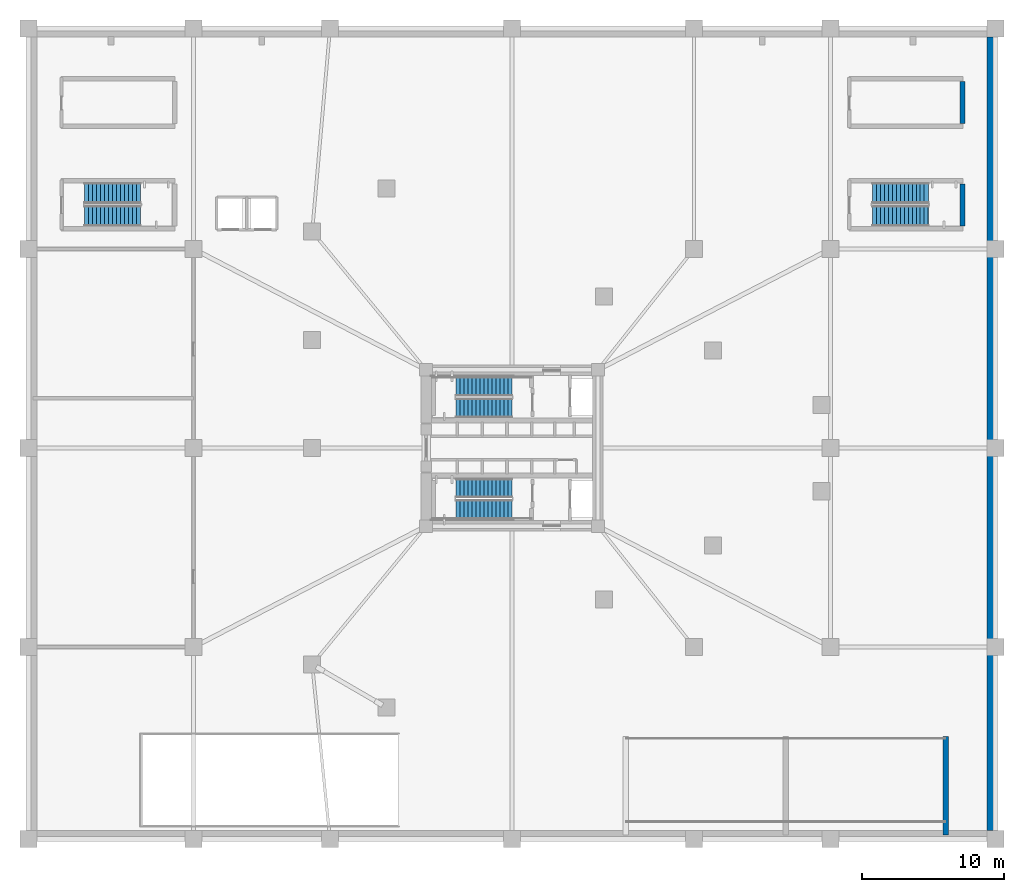
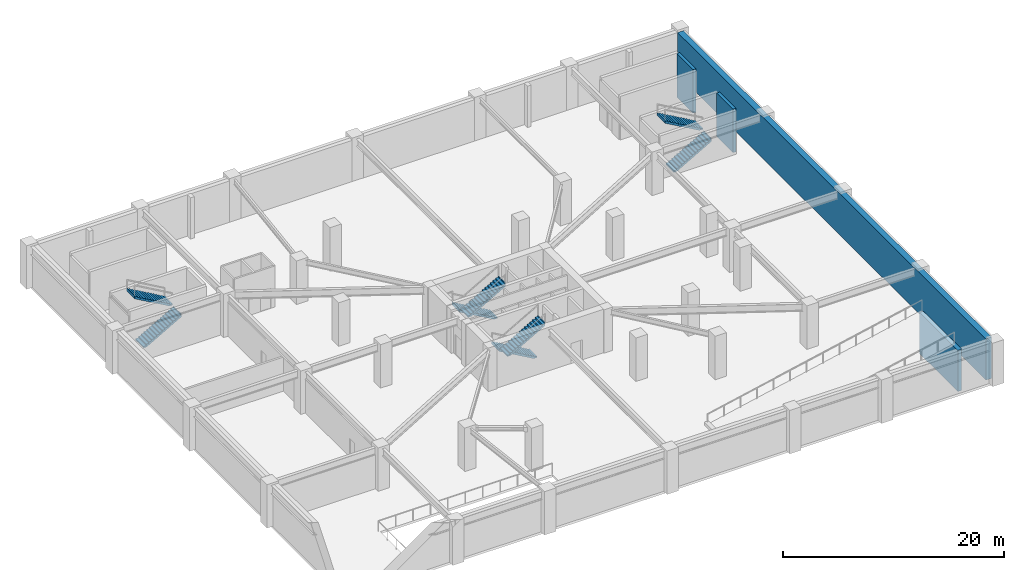
# One storey, part 6 of 13: 8 stair flights, 4 walls, 4 elements without a shape of their own.
"""IFC4 building model written with IfcOpenShell, lengths in metres."""

from ifc_helpers import new_model, si_unit, direction, frame, frame_2d, origin, place, context, subcontext, project, spatial, polyline, rectangle, outline, extrude, material, layer, layer_set, type_object, element, aggregate, save


model = new_model("IFC4")

# Units and contexts
model_context = context("Model", 3, precision=1e-05, world=origin(), true_north=direction((0.0, 1.0)))
body_context = subcontext(model_context, "Body", "Model", "MODEL_VIEW")
ifc_project = project(units=[si_unit("LENGTHUNIT", "METRE"), si_unit("AREAUNIT", "SQUARE_METRE"), si_unit("VOLUMEUNIT", "CUBIC_METRE"), si_unit("PLANEANGLEUNIT", "RADIAN"), si_unit("MASSUNIT", "GRAM", prefix="KILO")], contexts=[model_context])

# Site, building, storey
site_placement = place(None, origin())
site = spatial("IfcSite", under=ifc_project, at=site_placement, CompositionType="ELEMENT")
building_placement = place(site_placement, origin())
building = spatial("IfcBuilding", under=site, at=building_placement, Name="Yunling Apex Tower", CompositionType="ELEMENT")
storey_placement = place(building_placement, frame((0.0, 0.0, -4.800048828125)))
storey = spatial("IfcBuildingStorey", under=building, at=storey_placement, Name="B01", CompositionType="ELEMENT", Elevation=-4.800048828125)

# Walls
ifc_material_1 = material(Name="Concrete C50", Category="concrete")
ifc_layer_1 = layer(ifc_material_1, 0.60009765625)
ifc_layer_set_1 = layer_set([ifc_layer_1], Name="Concrete C50")
wall_type_1 = type_object("IfcWallType", Name="WL-BSM-2", PredefinedType="USERDEFINED", material=ifc_layer_set_1)
wall_1_placement = place(storey_placement, frame((33.699951171875, -26.89990234375, 0.0), z_axis=(0.0, 0.0, 1.0), x_axis=(0.0, 1.0, 0.0)))
element("IfcWall", 1, at=wall_1_placement, inside=storey, type_object=wall_type_1, Name="B01 East Retaining Wall", ObjectType="RETAININGWALL", PredefinedType="USERDEFINED", context=body_context, shape_type="SweptSolid", body=[
    extrude(rectangle(XDim=55.7998046875, YDim=0.60009765625, at=frame_2d((27.89990234375, 0.0))), origin(), (0.0, 0.0, 1.0), 4.56005859375),
])
ifc_layer_2 = layer(ifc_material_1, 0.39990234375)
ifc_layer_set_2 = layer_set([ifc_layer_2], Name="Concrete C50")
wall_type_2 = type_object("IfcWallType", Name="WL-COR-5", PredefinedType="SHEAR", material=ifc_layer_set_2)
wall_2_placement = place(storey_placement, frame((30.5, -27.199951171875, 0.0), z_axis=(0.0, 0.0, 1.0), x_axis=(0.0, 1.0, 0.0)))
element("IfcWall", 2, at=wall_2_placement, inside=storey, type_object=wall_type_2, Name="B01 Vehicle Ramp Bearing Wall HI", PredefinedType="SHEAR", context=body_context, shape_type="SweptSolid", body=[
    extrude(rectangle(XDim=6.89990234375, YDim=0.39990234375, at=frame_2d((3.449951171875, 0.0))), origin(), (0.0, 0.0, 1.0), 4.56005859375),
])
ifc_material_2 = material(Name="Concrete C40", Category="concrete")
ifc_layer_3 = layer(ifc_material_2, 0.320068359375)
ifc_layer_set_3 = layer_set([ifc_layer_3], Name="Concrete C40")
wall_type_3 = type_object("IfcWallType", Name="WL-COR-7", PredefinedType="SHEAR", material=ifc_layer_set_3)
for number, where, z_axis, x_axis, name in (
    (3, (31.679931640625, 15.6201171875, 0.0), (0.0, 0.0, 1.0), (0.0, 1.0, 0.0), "B01 STP2 Half-Landing Bearing Wall"),
    (4, (31.679931640625, 22.820068359375, 0.0), (0.0, 0.0, 1.0), (0.0, 1.0, 0.0), "B01 STG2 Half-Landing Bearing Wall"),
):
    element("IfcWall", number, at=place(storey_placement, frame(where, z_axis=z_axis, x_axis=x_axis)), inside=storey, type_object=wall_type_3, Name=name, PredefinedType="SHEAR", context=body_context, shape_type="SweptSolid", body=[
        extrude(rectangle(XDim=2.9599609375, YDim=0.320068359375, at=frame_2d((1.47998046875, 0.0))), origin(), (0.0, 0.0, 1.0), 4.800048828125),
    ])

# Stair, stair flights
stair_type_1 = type_object("IfcStairType", Name="ST-POD-1", PredefinedType="HALF_TURN_STAIR", material=ifc_material_2)
stair_1_placement = place(storey_placement, origin())
stair_1 = element("IfcStair", 5, at=stair_1_placement, inside=storey, type_object=stair_type_1, Name="B01 West Podium Smokeproof Stair ST-P1", PredefinedType="HALF_TURN_STAIR")
stair_flight_type_1 = type_object("IfcStairFlightType", Name="SFL-POD-1", PredefinedType="STRAIGHT", material=ifc_material_2)
stair_flight_1_placement = place(storey_placement, frame((-30.050048828125, 16.324951171875, 0.0), z_axis=(0.0, 0.0, 1.0), x_axis=(1.0, 0.0, 0.0)))
stair_flight_1 = element("IfcStairFlight", 6, at=stair_flight_1_placement, type_object=stair_flight_type_1, Name="ST-P1 flight 1", NumberOfRisers=15, NumberOfTreads=14, PredefinedType="STRAIGHT", RiserHeight=0.16, TreadLength=0.28, context=body_context, shape_type="SweptSolid", body=[
    extrude(outline(polyline([(-0.011962890625, 0.0), (-0.011962890625, 0.159912109375), (0.0, 0.159912109375), (0.280029296875, 0.159912109375), (0.280029296875, 0.320068359375), (0.56005859375, 0.320068359375), (0.56005859375, 0.47998046875), (0.840087890625, 0.47998046875), (0.840087890625, 0.639892578125), (1.1201171875, 0.639892578125), (1.1201171875, 0.800048828125), (1.39990234375, 0.800048828125), (1.39990234375, 0.9599609375), (1.679931640625, 0.9599609375), (1.679931640625, 1.1201171875), (1.9599609375, 1.1201171875), (1.9599609375, 1.280029296875), (2.239990234375, 1.280029296875), (2.239990234375, 1.43994140625), (2.52001953125, 1.43994140625), (2.52001953125, 1.60009765625), (2.800048828125, 1.60009765625), (2.800048828125, 1.760009765625), (3.080078125, 1.760009765625), (3.080078125, 1.919921875), (3.360107421875, 1.919921875), (3.360107421875, 2.080078125), (3.639892578125, 2.080078125), (3.639892578125, 2.239990234375), (3.919921875, 2.239990234375), (3.919921875, 2.39990234375), (3.931884765625, 2.39990234375), (3.931884765625, 2.055908203125), (0.322265625, 0.0), (-0.011962890625, 0.0)])), frame((0.0, 0.72509765625, 0.0), z_axis=(0.0, -1.0, 0.0), x_axis=(1.0, 0.0, 0.0)), (0.0, 0.0, 1.0), 1.449951171875),
])
stair_flight_2_placement = place(storey_placement, frame((-26.1298828125, 17.925048828125, 2.400146484375), z_axis=(0.0, 0.0, 1.0), x_axis=(-1.0, 0.0, 0.0)))
stair_flight_2 = element("IfcStairFlight", 7, at=stair_flight_2_placement, type_object=stair_flight_type_1, Name="ST-P1 flight 2", NumberOfRisers=15, NumberOfTreads=14, PredefinedType="STRAIGHT", RiserHeight=0.16, TreadLength=0.28, context=body_context, shape_type="SweptSolid", body=[
    extrude(outline(polyline([(-0.011962890625, 0.0), (-0.011962890625, 0.159912109375), (0.0, 0.159912109375), (0.280029296875, 0.159912109375), (0.280029296875, 0.320068359375), (0.56005859375, 0.320068359375), (0.56005859375, 0.47998046875), (0.840087890625, 0.47998046875), (0.840087890625, 0.639892578125), (1.1201171875, 0.639892578125), (1.1201171875, 0.800048828125), (1.39990234375, 0.800048828125), (1.39990234375, 0.9599609375), (1.679931640625, 0.9599609375), (1.679931640625, 1.1201171875), (1.9599609375, 1.1201171875), (1.9599609375, 1.280029296875), (2.239990234375, 1.280029296875), (2.239990234375, 1.43994140625), (2.52001953125, 1.43994140625), (2.52001953125, 1.60009765625), (2.800048828125, 1.60009765625), (2.800048828125, 1.760009765625), (3.080078125, 1.760009765625), (3.080078125, 1.919921875), (3.360107421875, 1.919921875), (3.360107421875, 2.080078125), (3.639892578125, 2.080078125), (3.639892578125, 2.239990234375), (3.919921875, 2.239990234375), (3.919921875, 2.39990234375), (3.931884765625, 2.39990234375), (3.931884765625, 2.055908203125), (0.322265625, 0.0), (-0.011962890625, 0.0)])), frame((0.0, 0.72509765625, 0.0), z_axis=(0.0, -1.0, 0.0), x_axis=(1.0, 0.0, 0.0)), (0.0, 0.0, 1.0), 1.449951171875),
])
aggregate(stair_1, [stair_flight_1, stair_flight_2])

stair_2_placement = place(storey_placement, origin())
stair_2 = element("IfcStair", 8, at=stair_2_placement, inside=storey, type_object=stair_type_1, Name="B01 East Podium Smokeproof Stair ST-P2", PredefinedType="HALF_TURN_STAIR")
stair_flight_3_placement = place(storey_placement, frame((25.35009765625, 16.324951171875, 0.0), z_axis=(0.0, 0.0, 1.0), x_axis=(1.0, 0.0, 0.0)))
stair_flight_3 = element("IfcStairFlight", 9, at=stair_flight_3_placement, type_object=stair_flight_type_1, Name="ST-P2 flight 1", NumberOfRisers=15, NumberOfTreads=14, PredefinedType="STRAIGHT", RiserHeight=0.16, TreadLength=0.28, context=body_context, shape_type="SweptSolid", body=[
    extrude(outline(polyline([(-0.011962890625, 0.0), (-0.011962890625, 0.159912109375), (0.0, 0.159912109375), (0.280029296875, 0.159912109375), (0.280029296875, 0.320068359375), (0.56005859375, 0.320068359375), (0.56005859375, 0.47998046875), (0.840087890625, 0.47998046875), (0.840087890625, 0.639892578125), (1.1201171875, 0.639892578125), (1.1201171875, 0.800048828125), (1.39990234375, 0.800048828125), (1.39990234375, 0.9599609375), (1.679931640625, 0.9599609375), (1.679931640625, 1.1201171875), (1.9599609375, 1.1201171875), (1.9599609375, 1.280029296875), (2.239990234375, 1.280029296875), (2.239990234375, 1.43994140625), (2.52001953125, 1.43994140625), (2.52001953125, 1.60009765625), (2.800048828125, 1.60009765625), (2.800048828125, 1.760009765625), (3.080078125, 1.760009765625), (3.080078125, 1.919921875), (3.360107421875, 1.919921875), (3.360107421875, 2.080078125), (3.639892578125, 2.080078125), (3.639892578125, 2.239990234375), (3.919921875, 2.239990234375), (3.919921875, 2.39990234375), (3.931884765625, 2.39990234375), (3.931884765625, 2.055908203125), (0.322265625, 0.0), (-0.011962890625, 0.0)])), frame((0.0, 0.72509765625, 0.0), z_axis=(0.0, -1.0, 0.0), x_axis=(1.0, 0.0, 0.0)), (0.0, 0.0, 1.0), 1.449951171875),
])
stair_flight_4_placement = place(storey_placement, frame((29.27001953125, 17.925048828125, 2.400146484375), z_axis=(0.0, 0.0, 1.0), x_axis=(-1.0, 0.0, 0.0)))
stair_flight_4 = element("IfcStairFlight", 10, at=stair_flight_4_placement, type_object=stair_flight_type_1, Name="ST-P2 flight 2", NumberOfRisers=15, NumberOfTreads=14, PredefinedType="STRAIGHT", RiserHeight=0.16, TreadLength=0.28, context=body_context, shape_type="SweptSolid", body=[
    extrude(outline(polyline([(-0.011962890625, 0.0), (-0.011962890625, 0.159912109375), (0.0, 0.159912109375), (0.280029296875, 0.159912109375), (0.280029296875, 0.320068359375), (0.56005859375, 0.320068359375), (0.56005859375, 0.47998046875), (0.840087890625, 0.47998046875), (0.840087890625, 0.639892578125), (1.1201171875, 0.639892578125), (1.1201171875, 0.800048828125), (1.39990234375, 0.800048828125), (1.39990234375, 0.9599609375), (1.679931640625, 0.9599609375), (1.679931640625, 1.1201171875), (1.9599609375, 1.1201171875), (1.9599609375, 1.280029296875), (2.239990234375, 1.280029296875), (2.239990234375, 1.43994140625), (2.52001953125, 1.43994140625), (2.52001953125, 1.60009765625), (2.800048828125, 1.60009765625), (2.800048828125, 1.760009765625), (3.080078125, 1.760009765625), (3.080078125, 1.919921875), (3.360107421875, 1.919921875), (3.360107421875, 2.080078125), (3.639892578125, 2.080078125), (3.639892578125, 2.239990234375), (3.919921875, 2.239990234375), (3.919921875, 2.39990234375), (3.931884765625, 2.39990234375), (3.931884765625, 2.055908203125), (0.322265625, 0.0), (-0.011962890625, 0.0)])), frame((0.0, 0.72509765625, 0.0), z_axis=(0.0, -1.0, 0.0), x_axis=(1.0, 0.0, 0.0)), (0.0, 0.0, 1.0), 1.449951171875),
])
aggregate(stair_2, [stair_flight_3, stair_flight_4])

stair_type_2 = type_object("IfcStairType", Name="ST-TWR-1", PredefinedType="HALF_TURN_STAIR", material=ifc_material_2)
stair_3_placement = place(storey_placement, origin())
stair_3 = element("IfcStair", 11, at=stair_3_placement, inside=storey, type_object=stair_type_2, Name="B01 North Core Smokeproof Exit Stair ST-1", PredefinedType="HALF_TURN_STAIR")
stair_flight_type_2 = type_object("IfcStairFlightType", Name="SFL-TWR-1", PredefinedType="STRAIGHT", material=ifc_material_2)
stair_flight_5_placement = place(storey_placement, frame((-0.010009765625, 4.330078125, 0.0), z_axis=(0.0, 0.0, 1.0), x_axis=(-1.0, 0.0, 0.0)))
stair_flight_5 = element("IfcStairFlight", 12, at=stair_flight_5_placement, type_object=stair_flight_type_2, Name="ST-1 flight 1", NumberOfRisers=15, NumberOfTreads=14, PredefinedType="STRAIGHT", RiserHeight=0.16, TreadLength=0.28, context=body_context, shape_type="SweptSolid", body=[
    extrude(outline(polyline([(-0.011962890625, 0.0), (-0.011962890625, 0.159912109375), (0.0, 0.159912109375), (0.280029296875, 0.159912109375), (0.280029296875, 0.320068359375), (0.56005859375, 0.320068359375), (0.56005859375, 0.47998046875), (0.840087890625, 0.47998046875), (0.840087890625, 0.639892578125), (1.1201171875, 0.639892578125), (1.1201171875, 0.800048828125), (1.39990234375, 0.800048828125), (1.39990234375, 0.9599609375), (1.679931640625, 0.9599609375), (1.679931640625, 1.1201171875), (1.9599609375, 1.1201171875), (1.9599609375, 1.280029296875), (2.239990234375, 1.280029296875), (2.239990234375, 1.43994140625), (2.52001953125, 1.43994140625), (2.52001953125, 1.60009765625), (2.800048828125, 1.60009765625), (2.800048828125, 1.760009765625), (3.080078125, 1.760009765625), (3.080078125, 1.919921875), (3.360107421875, 1.919921875), (3.360107421875, 2.080078125), (3.639892578125, 2.080078125), (3.639892578125, 2.239990234375), (3.919921875, 2.239990234375), (3.919921875, 2.39990234375), (3.931884765625, 2.39990234375), (3.931884765625, 2.055908203125), (0.322265625, 0.0), (-0.011962890625, 0.0)])), frame((0.0, 0.68017578125, 0.0), z_axis=(0.0, -1.0, 0.0), x_axis=(1.0, 0.0, 0.0)), (0.0, 0.0, 1.0), 1.360107421875),
])
stair_flight_6_placement = place(storey_placement, frame((-3.929931640625, 2.820068359375, 2.400146484375), z_axis=(0.0, 0.0, 1.0), x_axis=(1.0, 0.0, 0.0)))
stair_flight_6 = element("IfcStairFlight", 13, at=stair_flight_6_placement, type_object=stair_flight_type_2, Name="ST-1 flight 2", NumberOfRisers=15, NumberOfTreads=14, PredefinedType="STRAIGHT", RiserHeight=0.16, TreadLength=0.28, context=body_context, shape_type="SweptSolid", body=[
    extrude(outline(polyline([(-0.011962890625, 0.0), (-0.011962890625, 0.159912109375), (0.0, 0.159912109375), (0.280029296875, 0.159912109375), (0.280029296875, 0.320068359375), (0.56005859375, 0.320068359375), (0.56005859375, 0.47998046875), (0.840087890625, 0.47998046875), (0.840087890625, 0.639892578125), (1.1201171875, 0.639892578125), (1.1201171875, 0.800048828125), (1.39990234375, 0.800048828125), (1.39990234375, 0.9599609375), (1.679931640625, 0.9599609375), (1.679931640625, 1.1201171875), (1.9599609375, 1.1201171875), (1.9599609375, 1.280029296875), (2.239990234375, 1.280029296875), (2.239990234375, 1.43994140625), (2.52001953125, 1.43994140625), (2.52001953125, 1.60009765625), (2.800048828125, 1.60009765625), (2.800048828125, 1.760009765625), (3.080078125, 1.760009765625), (3.080078125, 1.919921875), (3.360107421875, 1.919921875), (3.360107421875, 2.080078125), (3.639892578125, 2.080078125), (3.639892578125, 2.239990234375), (3.919921875, 2.239990234375), (3.919921875, 2.39990234375), (3.931884765625, 2.39990234375), (3.931884765625, 2.055908203125), (0.322265625, 0.0), (-0.011962890625, 0.0)])), frame((0.0, 0.68017578125, 0.0), z_axis=(0.0, -1.0, 0.0), x_axis=(1.0, 0.0, 0.0)), (0.0, 0.0, 1.0), 1.360107421875),
])
aggregate(stair_3, [stair_flight_5, stair_flight_6])

stair_4_placement = place(storey_placement, origin())
stair_4 = element("IfcStair", 14, at=stair_4_placement, inside=storey, type_object=stair_type_2, Name="B01 South Core Smokeproof Exit Stair ST-2", PredefinedType="HALF_TURN_STAIR")
stair_flight_7_placement = place(storey_placement, frame((-0.010009765625, -2.820068359375, 0.0), z_axis=(0.0, 0.0, 1.0), x_axis=(-1.0, 0.0, 0.0)))
stair_flight_7 = element("IfcStairFlight", 15, at=stair_flight_7_placement, type_object=stair_flight_type_2, Name="ST-2 flight 1", NumberOfRisers=15, NumberOfTreads=14, PredefinedType="STRAIGHT", RiserHeight=0.16, TreadLength=0.28, context=body_context, shape_type="SweptSolid", body=[
    extrude(outline(polyline([(-0.011962890625, 0.0), (-0.011962890625, 0.159912109375), (0.0, 0.159912109375), (0.280029296875, 0.159912109375), (0.280029296875, 0.320068359375), (0.56005859375, 0.320068359375), (0.56005859375, 0.47998046875), (0.840087890625, 0.47998046875), (0.840087890625, 0.639892578125), (1.1201171875, 0.639892578125), (1.1201171875, 0.800048828125), (1.39990234375, 0.800048828125), (1.39990234375, 0.9599609375), (1.679931640625, 0.9599609375), (1.679931640625, 1.1201171875), (1.9599609375, 1.1201171875), (1.9599609375, 1.280029296875), (2.239990234375, 1.280029296875), (2.239990234375, 1.43994140625), (2.52001953125, 1.43994140625), (2.52001953125, 1.60009765625), (2.800048828125, 1.60009765625), (2.800048828125, 1.760009765625), (3.080078125, 1.760009765625), (3.080078125, 1.919921875), (3.360107421875, 1.919921875), (3.360107421875, 2.080078125), (3.639892578125, 2.080078125), (3.639892578125, 2.239990234375), (3.919921875, 2.239990234375), (3.919921875, 2.39990234375), (3.931884765625, 2.39990234375), (3.931884765625, 2.055908203125), (0.322265625, 0.0), (-0.011962890625, 0.0)])), frame((0.0, 0.68017578125, 0.0), z_axis=(0.0, -1.0, 0.0), x_axis=(1.0, 0.0, 0.0)), (0.0, 0.0, 1.0), 1.360107421875),
])
stair_flight_8_placement = place(storey_placement, frame((-3.929931640625, -4.330078125, 2.400146484375), z_axis=(0.0, 0.0, 1.0), x_axis=(1.0, 0.0, 0.0)))
stair_flight_8 = element("IfcStairFlight", 16, at=stair_flight_8_placement, type_object=stair_flight_type_2, Name="ST-2 flight 2", NumberOfRisers=15, NumberOfTreads=14, PredefinedType="STRAIGHT", RiserHeight=0.16, TreadLength=0.28, context=body_context, shape_type="SweptSolid", body=[
    extrude(outline(polyline([(-0.011962890625, 0.0), (-0.011962890625, 0.159912109375), (0.0, 0.159912109375), (0.280029296875, 0.159912109375), (0.280029296875, 0.320068359375), (0.56005859375, 0.320068359375), (0.56005859375, 0.47998046875), (0.840087890625, 0.47998046875), (0.840087890625, 0.639892578125), (1.1201171875, 0.639892578125), (1.1201171875, 0.800048828125), (1.39990234375, 0.800048828125), (1.39990234375, 0.9599609375), (1.679931640625, 0.9599609375), (1.679931640625, 1.1201171875), (1.9599609375, 1.1201171875), (1.9599609375, 1.280029296875), (2.239990234375, 1.280029296875), (2.239990234375, 1.43994140625), (2.52001953125, 1.43994140625), (2.52001953125, 1.60009765625), (2.800048828125, 1.60009765625), (2.800048828125, 1.760009765625), (3.080078125, 1.760009765625), (3.080078125, 1.919921875), (3.360107421875, 1.919921875), (3.360107421875, 2.080078125), (3.639892578125, 2.080078125), (3.639892578125, 2.239990234375), (3.919921875, 2.239990234375), (3.919921875, 2.39990234375), (3.931884765625, 2.39990234375), (3.931884765625, 2.055908203125), (0.322265625, 0.0), (-0.011962890625, 0.0)])), frame((0.0, 0.68017578125, 0.0), z_axis=(0.0, -1.0, 0.0), x_axis=(1.0, 0.0, 0.0)), (0.0, 0.0, 1.0), 1.360107421875),
])
aggregate(stair_4, [stair_flight_7, stair_flight_8])

save(model, "model.ifc")
